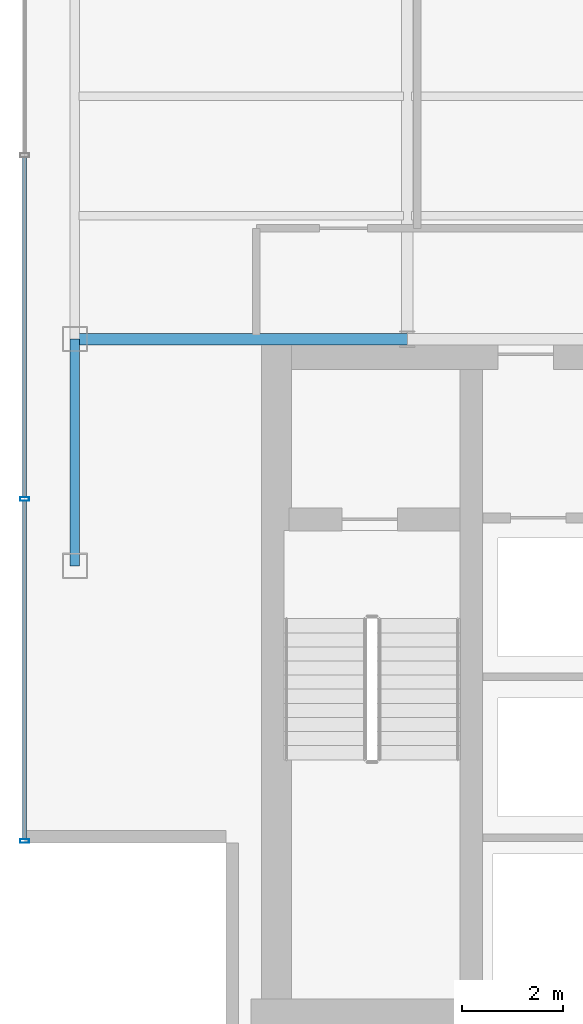
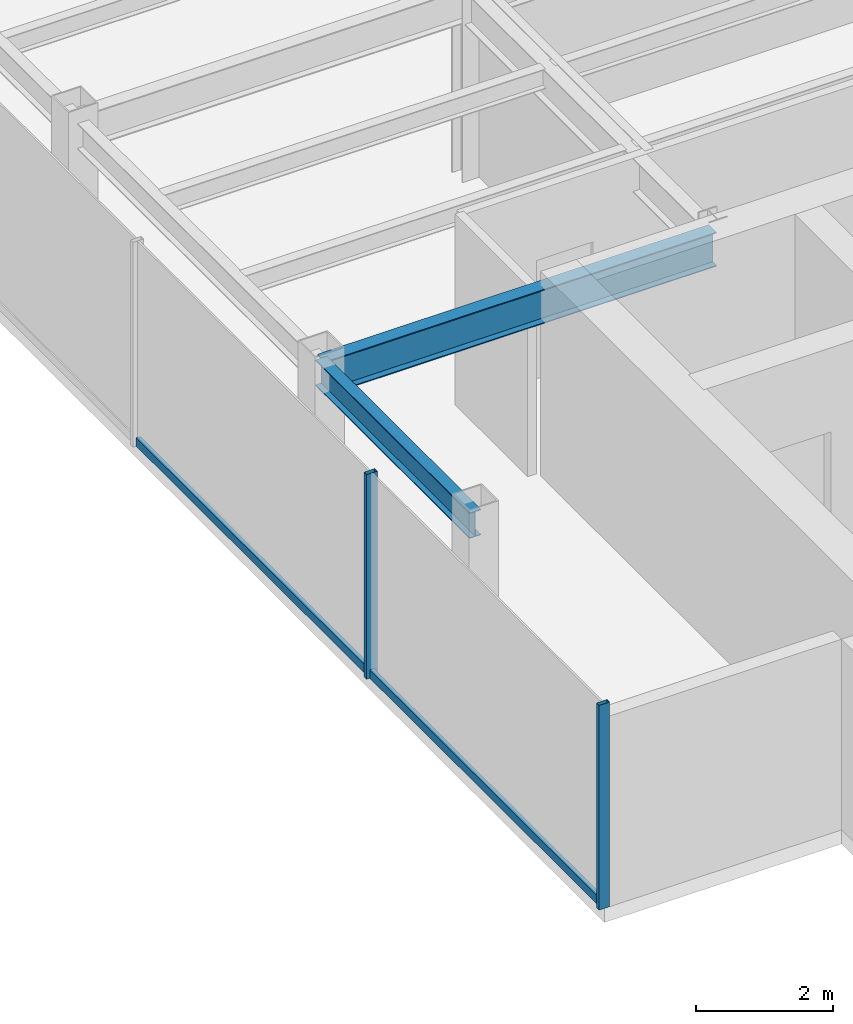
# One storey, part 3 of 22: 4 members, 2 beams, 1 element without a shape of its own.
"""IFC4 building model written with IfcOpenShell, lengths in metres."""

from ifc_helpers import new_model, si_unit, derived_unit, direction, frame, origin, origin_2d, place, context, subcontext, project, spatial, hollow_rectangle, i_section, extrude, source, transform, mapped, material, material_profile, profile_set, type_object, element, aggregate, save


model = new_model("IFC4")

# Units and contexts
model_context = context("Model", 3, precision=1e-05, world=origin(), true_north=direction((0.0, 1.0)))
body_context = subcontext(model_context, "Body", "Model", "MODEL_VIEW")
ifc_project = project(units=[si_unit("LENGTHUNIT", "METRE"), si_unit("AREAUNIT", "SQUARE_METRE"), si_unit("VOLUMEUNIT", "CUBIC_METRE"), si_unit("PLANEANGLEUNIT", "RADIAN"), si_unit("MASSUNIT", "GRAM", prefix="KILO"), derived_unit("THERMALTRANSMITTANCEUNIT", [(si_unit("POWERUNIT", "WATT"), 1), (si_unit("LENGTHUNIT", "METRE"), -2), (si_unit("THERMODYNAMICTEMPERATUREUNIT", "KELVIN"), -1)])], contexts=[model_context])

# Site, building, storey
site_placement = place(None, origin())
site = spatial("IfcSite", under=ifc_project, at=site_placement, CompositionType="ELEMENT")
building_placement = place(site_placement, origin())
building = spatial("IfcBuilding", under=site, at=building_placement, Name="Skarnbrae Concourse Arena and Tower", CompositionType="ELEMENT")
storey_placement = place(building_placement, frame((0.0, 0.0, 195.89990234375)))
storey = spatial("IfcBuildingStorey", under=building, at=storey_placement, Name="L50", CompositionType="ELEMENT", Elevation=195.89990234375)

# Beams
ifc_material_1 = material(Name="Steel CSA G40.21 350W", Category="steel")
ifc_material_profile_1 = material_profile(ifc_material_1, i_section(OverallWidth=0.22802734375, OverallDepth=0.60791015625, WebThickness=0.01123046875, FlangeThickness=0.017333984375, at=origin_2d()), Name="W610X113")
ifc_profile_set_1 = profile_set([ifc_material_profile_1], Name="Steel CSA G40.21 350W")
beam_type_1 = type_object("IfcBeamType", Name="BM-GIRD-W610X113", PredefinedType="BEAM", material=ifc_profile_set_1)
shared_shape_1 = source(origin(), body_context, "Body", "SweptSolid", [
    extrude(i_section(OverallWidth=0.22802734375, OverallDepth=0.60791015625, WebThickness=0.01123046875, FlangeThickness=0.017333984375, at=origin_2d()), origin(), (0.0, 0.0, 1.0), 6.60009765625),
])
beam_1_placement = place(storey_placement, frame((1.0, 14.0, 3.09619140625), z_axis=(1.0, 0.0, 0.0), x_axis=(0.0, 1.0, 0.0)))
element("IfcBeam", 1, at=beam_1_placement, inside=storey, type_object=beam_type_1, Name="L50 Primary E-W girder Y14.0-1", PredefinedType="BEAM", context=body_context, shape_type="MappedRepresentation", body=[
    mapped(shared_shape_1, transform((0.0, 0.0, 0.0))),
])
ifc_material_profile_2 = material_profile(ifc_material_1, i_section(OverallWidth=0.19091796875, OverallDepth=0.4599609375, WebThickness=0.010009765625, FlangeThickness=0.01611328125, at=origin_2d()), Name="W460X82")
ifc_profile_set_2 = profile_set([ifc_material_profile_2], Name="Steel CSA G40.21 350W")
beam_type_2 = type_object("IfcBeamType", Name="BM-SPAN-W460X82", PredefinedType="SPANDREL", material=ifc_profile_set_2)
shared_shape_2 = source(origin(), body_context, "Body", "SweptSolid", [
    extrude(i_section(OverallWidth=0.19091796875, OverallDepth=0.4599609375, WebThickness=0.010009765625, FlangeThickness=0.01611328125, at=origin_2d()), origin(), (0.0, 0.0, 1.0), 4.5),
])
beam_2_placement = place(storey_placement, frame((1.0, 9.5, 3.170166015625), z_axis=(0.0, 1.0, 0.0), x_axis=(-1.0, 0.0, 0.0)))
element("IfcBeam", 2, at=beam_2_placement, inside=storey, type_object=beam_type_2, Name="L50 Perimeter spandrel X1.0-1", PredefinedType="SPANDREL", context=body_context, shape_type="MappedRepresentation", body=[
    mapped(shared_shape_2, transform((0.0, 0.0, 0.0))),
])

# Curtain wall, members
ifc_material_2 = material(Name="Bronze anodised aluminium 6063-T6", Category="aluminium")
curtain_wall_type = type_object("IfcCurtainWallType", Name="CW-SYS-05-HIGHZONE", PredefinedType="USERDEFINED", material=ifc_material_2)
curtain_wall_placement = place(storey_placement, origin())
curtain_wall = element("IfcCurtainWall", 3, at=curtain_wall_placement, inside=storey, type_object=curtain_wall_type, Name="L50 Unitised curtain wall CW-L50-E18", ObjectType="UNITISED CURTAIN WALL", PredefinedType="USERDEFINED")
ifc_material_profile_3 = material_profile(ifc_material_2, hollow_rectangle(XDim=0.074951171875, YDim=0.14990234375, WallThickness=0.00390625, at=origin_2d()), Name="ALU-TRAN-75X150")
ifc_profile_set_3 = profile_set([ifc_material_profile_3], Name="Bronze anodised aluminium 6063-T6")
member_type_1 = type_object("IfcMemberType", Name="CWT-CW-05", PredefinedType="USERDEFINED", material=ifc_profile_set_3)
shared_shape_3 = source(origin(), body_context, "Body", "SweptSolid", [
    extrude(hollow_rectangle(XDim=0.074951171875, YDim=0.14990234375, WallThickness=0.00390625, at=origin_2d()), origin(), (0.0, 0.0, 1.0), 6.712646484375),
])
member_1_placement = place(storey_placement, frame((0.0, 10.78759765625, 0.0751953125), z_axis=(0.0, -1.0, 0.0), x_axis=(1.0, 0.0, 0.0)))
member_1 = element("IfcMember", 4, at=member_1_placement, type_object=member_type_1, Name="CW-L50-E18 Transom 4", ObjectType="TRANSOM", PredefinedType="USERDEFINED", context=body_context, shape_type="MappedRepresentation", body=[
    mapped(shared_shape_3, transform((0.0, 0.0, 0.0))),
])
shared_shape_4 = source(origin(), body_context, "Body", "SweptSolid", [
    extrude(hollow_rectangle(XDim=0.074951171875, YDim=0.14990234375, WallThickness=0.00390625, at=origin_2d()), origin(), (0.0, 0.0, 1.0), 6.75),
])
member_2_placement = place(storey_placement, frame((0.0, 17.612548828125, 0.0751953125), z_axis=(0.0, -1.0, 0.0), x_axis=(1.0, 0.0, 0.0)))
member_2 = element("IfcMember", 5, at=member_2_placement, type_object=member_type_1, Name="CW-L50-E18 Transom 3", ObjectType="TRANSOM", PredefinedType="USERDEFINED", context=body_context, shape_type="MappedRepresentation", body=[
    mapped(shared_shape_4, transform((0.0, 0.0, 0.0))),
])
ifc_material_profile_4 = material_profile(ifc_material_2, hollow_rectangle(XDim=0.074951171875, YDim=0.179931640625, WallThickness=0.00390625, at=origin_2d()), Name="ALU-MULL-75X180")
ifc_profile_set_4 = profile_set([ifc_material_profile_4], Name="Bronze anodised aluminium 6063-T6")
member_type_2 = type_object("IfcMemberType", Name="CWM-CW-05", PredefinedType="MULLION", material=ifc_profile_set_4)
shared_shape_5 = source(origin(), body_context, "Body", "SweptSolid", [
    extrude(hollow_rectangle(XDim=0.074951171875, YDim=0.179931640625, WallThickness=0.00390625, at=origin_2d()), origin(), (0.0, 0.0, 1.0), 3.650146484375),
])
member_3_placement = place(storey_placement, frame((0.0, 10.824951171875, 0.0), z_axis=(0.0, 0.0, 1.0), x_axis=(0.0, -1.0, 0.0)))
member_3 = element("IfcMember", 6, at=member_3_placement, type_object=member_type_2, Name="CW-L50-E18 Mullion 4", PredefinedType="MULLION", context=body_context, shape_type="MappedRepresentation", body=[
    mapped(shared_shape_5, transform((0.0, 0.0, 0.0))),
])
member_4_placement = place(storey_placement, frame((0.0, 4.03759765625, 0.0), z_axis=(0.0, 0.0, 1.0), x_axis=(0.0, -1.0, 0.0)))
member_4 = element("IfcMember", 7, at=member_4_placement, type_object=member_type_2, Name="CW-L50-E18 Mullion 5", PredefinedType="MULLION", context=body_context, shape_type="MappedRepresentation", body=[
    mapped(shared_shape_5, transform((0.0, 0.0, 0.0))),
])
aggregate(curtain_wall, [member_3, member_4, member_2, member_1])

save(model, "model.ifc")
